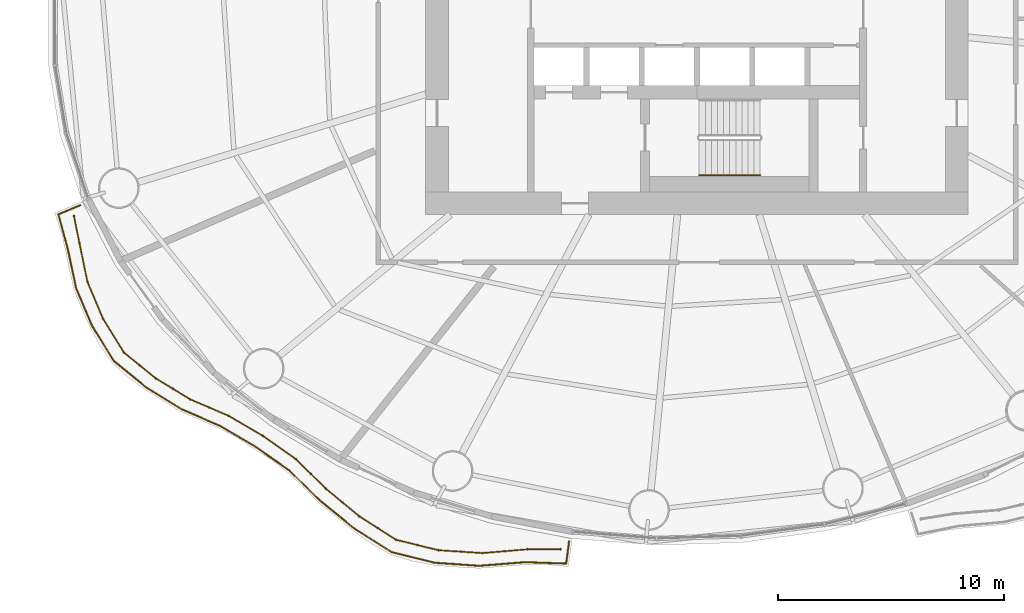
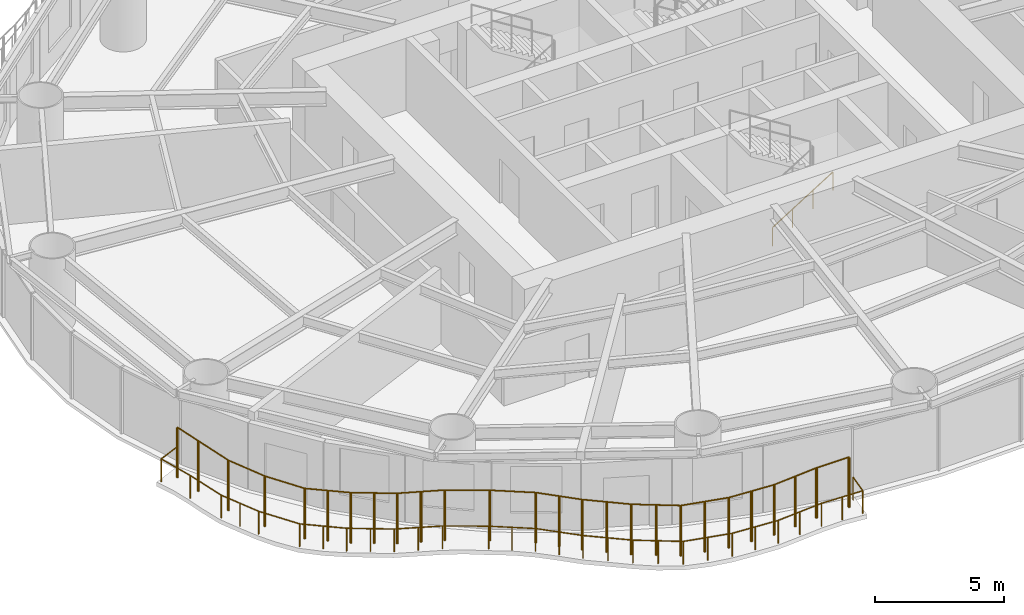
# One storey, part 12 of 17: 3 railings.
"""IFC4 building model written with IfcOpenShell, lengths in metres."""

from ifc_helpers import new_model, si_unit, direction, frame, origin, origin_2d, place, context, subcontext, project, spatial, circle, extrude, material, type_object, element, save


model = new_model("IFC4")

# Units and contexts
model_context = context("Model", 3, precision=1e-05, world=origin(), true_north=direction((0.0, 1.0)))
body_context = subcontext(model_context, "Body", "Model", "MODEL_VIEW")
ifc_project = project(units=[si_unit("LENGTHUNIT", "METRE"), si_unit("AREAUNIT", "SQUARE_METRE"), si_unit("VOLUMEUNIT", "CUBIC_METRE"), si_unit("PLANEANGLEUNIT", "RADIAN"), si_unit("MASSUNIT", "GRAM", prefix="KILO")], contexts=[model_context])

# Site, building, storey
site_placement = place(None, origin())
site = spatial("IfcSite", under=ifc_project, at=site_placement, CompositionType="ELEMENT")
building_placement = place(site_placement, origin())
building = spatial("IfcBuilding", under=site, at=building_placement, Name="Vermilion Reach Broadcast Tower", CompositionType="ELEMENT")
storey_placement = place(building_placement, frame((0.0, 0.0, 54.5)))
storey = spatial("IfcBuildingStorey", under=building, at=storey_placement, Name="L10", CompositionType="ELEMENT", Elevation=54.5)

# Railings
ifc_material_1 = material(Name="Terracotta baguette", Category="masonry")
railing_type_1 = type_object("IfcRailingType", Name="BAGUETTE SCREEN", PredefinedType="USERDEFINED", material=ifc_material_1)
railing_1_placement = place(storey_placement, frame((-33.5625, -9.0517578125, 0.0)))
element("IfcRailing", 1, at=railing_1_placement, inside=storey, type_object=railing_type_1, Name="Baguette screen L10 group 3", ObjectType="BAGUETTE SCREEN", PredefinedType="USERDEFINED", context=body_context, shape_type="SweptSolid", body=[
    extrude(circle(Radius=0.030029296875, at=origin_2d()), frame((0.0, 0.0, 2.369873046875), z_axis=(0.199409662578, -0.979916214005, 0.0), x_axis=(0.979916214005, 0.199409662578, 0.0)), (0.0, 0.0, 1.0), 1.2255859375),
    extrude(circle(Radius=0.030029296875, at=origin_2d()), frame((0.244384765625, -1.200927734375, 2.369873046875), z_axis=(0.201684360782, -0.979450569766, 0.0), x_axis=(0.979450569766, 0.201684360782, 0.0)), (0.0, 0.0, 1.0), 1.7529296875),
    extrude(circle(Radius=0.030029296875, at=origin_2d()), frame((0.597900390625, -2.917724609375, 2.369873046875), z_axis=(0.389125849126, -0.921184603401, 0.0), x_axis=(0.921184603401, 0.389125849126, 0.0)), (0.0, 0.0, 1.0), 1.76611328125),
    extrude(circle(Radius=0.030029296875, at=origin_2d()), frame((1.28515625, -4.544677734375, 2.369873046875), z_axis=(0.525498792374, -0.850794346016, 0.0), x_axis=(0.850794346016, 0.525498792374, 0.0)), (0.0, 0.0, 1.0), 1.758544921875),
    extrude(circle(Radius=0.030029296875, at=origin_2d()), frame((2.209228515625, -6.040771484375, 2.369873046875), z_axis=(0.776167720678, -0.630526501724, 0.0), x_axis=(0.630526501724, 0.776167720678, 0.0)), (0.0, 0.0, 1.0), 1.80712890625),
    extrude(circle(Radius=0.030029296875, at=origin_2d()), frame((3.61181640625, -7.18017578125, 2.369873046875), z_axis=(0.853760885392, -0.520665296111, 0.0), x_axis=(0.520665296111, 0.853760885392, 0.0)), (0.0, 0.0, 1.0), 1.800048828125),
    extrude(circle(Radius=0.030029296875, at=origin_2d()), frame((5.148681640625, -8.117431640625, 2.369873046875), z_axis=(0.919206490809, -0.393775859157, 0.0), x_axis=(0.393775859157, 0.919206490809, 0.0)), (0.0, 0.0, 1.0), 1.848876953125),
    extrude(circle(Radius=0.030029296875, at=origin_2d()), frame((6.84814453125, -8.845458984375, 2.369873046875), z_axis=(0.862471351841, -0.506105885416, 0.0), x_axis=(0.506105885416, 0.862471351841, 0.0)), (0.0, 0.0, 1.0), 1.7509765625),
    extrude(circle(Radius=0.030029296875, at=origin_2d()), frame((8.3583984375, -9.731689453125, 2.369873046875), z_axis=(0.818240420183, -0.574876173431, 0.0), x_axis=(0.574876173431, 0.818240420183, 0.0)), (0.0, 0.0, 1.0), 1.78369140625),
    extrude(circle(Radius=0.030029296875, at=origin_2d()), frame((9.81787109375, -10.757080078125, 2.369873046875), z_axis=(0.711542374785, -0.702643187461, 0.0), x_axis=(0.702643187461, 0.711542374785, 0.0)), (0.0, 0.0, 1.0), 1.865478515625),
    extrude(circle(Radius=0.030029296875, at=origin_2d()), frame((11.145263671875, -12.06787109375, 2.369873046875), z_axis=(0.77147600932, -0.636258412159, 0.0), x_axis=(0.636258412159, 0.77147600932, 0.0)), (0.0, 0.0, 1.0), 1.9248046875),
    extrude(circle(Radius=0.030029296875, at=origin_2d()), frame((12.630126953125, -13.29248046875, 2.369873046875), z_axis=(0.842271400662, -0.539053696423, 0.0), x_axis=(0.539053696423, 0.842271400662, 0.0)), (0.0, 0.0, 1.0), 1.92041015625),
    extrude(circle(Radius=0.030029296875, at=origin_2d()), frame((14.24755859375, -14.32763671875, 2.369873046875), z_axis=(0.971025223768, -0.238977017318, 0.0), x_axis=(0.238977017318, 0.971025223768, 0.0)), (0.0, 0.0, 1.0), 1.93798828125),
    extrude(circle(Radius=0.030029296875, at=origin_2d()), frame((16.12939453125, -14.790771484375, 2.369873046875), z_axis=(0.99792453146, -0.064394328242, 0.0), x_axis=(0.064394328242, 0.99792453146, 0.0)), (0.0, 0.0, 1.0), 1.95263671875),
    extrude(circle(Radius=0.030029296875, at=origin_2d()), frame((18.077880859375, -14.91650390625, 2.369873046875), z_axis=(0.996501015749, 0.083580653335, 0.0), x_axis=(-0.083580653335, 0.996501015749, 0.0)), (0.0, 0.0, 1.0), 2.0009765625),
    extrude(circle(Radius=0.030029296875, at=origin_2d()), frame((20.07177734375, -14.749267578125, 2.369873046875), z_axis=(0.999994933935, 0.003183096623, 0.0), x_axis=(-0.003183096623, 0.999994933935, 0.0)), (0.0, 0.0, 1.0), 1.457275390625),
    extrude(circle(Radius=0.050048828125, at=origin_2d()), origin(), (0.0, 0.0, 1.0), 2.33984375),
    extrude(circle(Radius=0.050048828125, at=origin_2d()), frame((0.244384765625, -1.200927734375, 0.0)), (0.0, 0.0, 1.0), 2.33984375),
    extrude(circle(Radius=0.050048828125, at=origin_2d()), frame((0.597900390625, -2.917724609375, 0.0)), (0.0, 0.0, 1.0), 2.33984375),
    extrude(circle(Radius=0.050048828125, at=origin_2d()), frame((1.28515625, -4.544677734375, 0.0)), (0.0, 0.0, 1.0), 2.33984375),
    extrude(circle(Radius=0.050048828125, at=origin_2d()), frame((2.209228515625, -6.040771484375, 0.0)), (0.0, 0.0, 1.0), 2.33984375),
    extrude(circle(Radius=0.050048828125, at=origin_2d()), frame((2.91064453125, -6.6103515625, 0.0)), (0.0, 0.0, 1.0), 2.33984375),
    extrude(circle(Radius=0.050048828125, at=origin_2d()), frame((3.61181640625, -7.18017578125, 0.0)), (0.0, 0.0, 1.0), 2.33984375),
    extrude(circle(Radius=0.050048828125, at=origin_2d()), frame((4.38037109375, -7.64892578125, 0.0)), (0.0, 0.0, 1.0), 2.33984375),
    extrude(circle(Radius=0.050048828125, at=origin_2d()), frame((5.148681640625, -8.117431640625, 0.0)), (0.0, 0.0, 1.0), 2.33984375),
    extrude(circle(Radius=0.050048828125, at=origin_2d()), frame((5.99853515625, -8.4814453125, 0.0)), (0.0, 0.0, 1.0), 2.33984375),
    extrude(circle(Radius=0.050048828125, at=origin_2d()), frame((6.84814453125, -8.845458984375, 0.0)), (0.0, 0.0, 1.0), 2.33984375),
    extrude(circle(Radius=0.050048828125, at=origin_2d()), frame((8.3583984375, -9.731689453125, 0.0)), (0.0, 0.0, 1.0), 2.33984375),
    extrude(circle(Radius=0.050048828125, at=origin_2d()), frame((9.81787109375, -10.757080078125, 0.0)), (0.0, 0.0, 1.0), 2.33984375),
    extrude(circle(Radius=0.050048828125, at=origin_2d()), frame((10.4814453125, -11.41259765625, 0.0)), (0.0, 0.0, 1.0), 2.33984375),
    extrude(circle(Radius=0.050048828125, at=origin_2d()), frame((11.145263671875, -12.06787109375, 0.0)), (0.0, 0.0, 1.0), 2.33984375),
    extrude(circle(Radius=0.050048828125, at=origin_2d()), frame((11.8876953125, -12.68017578125, 0.0)), (0.0, 0.0, 1.0), 2.33984375),
    extrude(circle(Radius=0.050048828125, at=origin_2d()), frame((12.630126953125, -13.29248046875, 0.0)), (0.0, 0.0, 1.0), 2.33984375),
    extrude(circle(Radius=0.050048828125, at=origin_2d()), frame((13.43896484375, -13.81005859375, 0.0)), (0.0, 0.0, 1.0), 2.33984375),
    extrude(circle(Radius=0.050048828125, at=origin_2d()), frame((14.24755859375, -14.32763671875, 0.0)), (0.0, 0.0, 1.0), 2.33984375),
    extrude(circle(Radius=0.050048828125, at=origin_2d()), frame((15.1884765625, -14.55908203125, 0.0)), (0.0, 0.0, 1.0), 2.33984375),
    extrude(circle(Radius=0.050048828125, at=origin_2d()), frame((16.12939453125, -14.790771484375, 0.0)), (0.0, 0.0, 1.0), 2.33984375),
    extrude(circle(Radius=0.050048828125, at=origin_2d()), frame((17.103515625, -14.853515625, 0.0)), (0.0, 0.0, 1.0), 2.33984375),
    extrude(circle(Radius=0.050048828125, at=origin_2d()), frame((18.077880859375, -14.91650390625, 0.0)), (0.0, 0.0, 1.0), 2.33984375),
    extrude(circle(Radius=0.050048828125, at=origin_2d()), frame((19.07470703125, -14.8330078125, 0.0)), (0.0, 0.0, 1.0), 2.33984375),
    extrude(circle(Radius=0.050048828125, at=origin_2d()), frame((20.07177734375, -14.749267578125, 0.0)), (0.0, 0.0, 1.0), 2.33984375),
    extrude(circle(Radius=0.050048828125, at=origin_2d()), frame((21.529052734375, -14.74462890625, 0.0)), (0.0, 0.0, 1.0), 2.33984375),
])
ifc_material_2 = material(Name="Stainless steel 316 balustrade", Category="steel")
railing_type_2 = type_object("IfcRailingType", Name="Balcony guard 1100", PredefinedType="BALUSTRADE", material=ifc_material_2)
railing_2_placement = place(storey_placement, frame((-33.279541015625, -8.5751953125, 0.0)))
element("IfcRailing", 2, at=railing_2_placement, inside=storey, type_object=railing_type_2, Name="Balcony guard L10 group 3", PredefinedType="BALUSTRADE", context=body_context, shape_type="SweptSolid", body=[
    extrude(circle(Radius=0.02490234375, at=origin_2d()), frame((0.0, 0.0, 1.0751953125), z_axis=(-0.921364160958, -0.388700505404, 0.0), x_axis=(0.388700505404, -0.921364160958, 0.0)), (0.0, 0.0, 1.0), 1.051513671875),
    extrude(circle(Radius=0.02490234375, at=origin_2d()), frame((-0.96875, -0.40869140625, 1.0751953125), z_axis=(0.260920629351, -0.965360256681, 0.0), x_axis=(0.965360256681, 0.260920629351, 0.0)), (0.0, 0.0, 1.0), 1.58984375),
    extrude(circle(Radius=0.02490234375, at=origin_2d()), frame((-0.553955078125, -1.943359375, 1.0751953125), z_axis=(0.208869261748, -0.977943572757, 0.0), x_axis=(0.977943572757, 0.208869261748, 0.0)), (0.0, 0.0, 1.0), 1.794189453125),
    extrude(circle(Radius=0.02490234375, at=origin_2d()), frame((-0.17919921875, -3.697998046875, 1.0751953125), z_axis=(0.393234914024, -0.91943803619, 0.0), x_axis=(0.91943803619, 0.393234914024, 0.0)), (0.0, 0.0, 1.0), 1.80859375),
    extrude(circle(Radius=0.02490234375, at=origin_2d()), frame((0.531982421875, -5.36083984375, 1.0751953125), z_axis=(0.527643152071, -0.849466128855, 0.0), x_axis=(0.849466128855, 0.527643152071, 0.0)), (0.0, 0.0, 1.0), 1.799560546875),
    extrude(circle(Radius=0.02490234375, at=origin_2d()), frame((1.4814453125, -6.889404296875, 1.0751953125), z_axis=(0.773951412693, -0.633244984813, 0.0), x_axis=(0.633244984813, 0.773951412693, 0.0)), (0.0, 0.0, 1.0), 1.847900390625),
    extrude(circle(Radius=0.02490234375, at=origin_2d()), frame((2.91162109375, -8.0595703125, 1.0751953125), z_axis=(0.851279629084, -0.524712295555, 0.0), x_axis=(0.524712295555, 0.851279629084, 0.0)), (0.0, 0.0, 1.0), 1.83837890625),
    extrude(circle(Radius=0.02490234375, at=origin_2d()), frame((4.4765625, -9.024169921875, 1.0751953125), z_axis=(0.916785889467, -0.399379059133, 0.0), x_axis=(0.399379059133, 0.916785889467, 0.0)), (0.0, 0.0, 1.0), 1.886474609375),
    extrude(circle(Radius=0.02490234375, at=origin_2d()), frame((6.2060546875, -9.777587890625, 1.0751953125), z_axis=(0.861407261025, -0.507914885245, 0.0), x_axis=(0.507914885245, 0.861407261025, 0.0)), (0.0, 0.0, 1.0), 1.7880859375),
    extrude(circle(Radius=0.02490234375, at=origin_2d()), frame((7.746337890625, -10.685791015625, 1.0751953125), z_axis=(0.818740264413, -0.57416407013, 0.0), x_axis=(0.57416407013, 0.818740264413, 0.0)), (0.0, 0.0, 1.0), 1.82080078125),
    extrude(circle(Radius=0.02490234375, at=origin_2d()), frame((9.237060546875, -11.731201171875, 1.0751953125), z_axis=(0.714902451304, -0.699224202327, 0.0), x_axis=(0.699224202327, 0.714902451304, 0.0)), (0.0, 0.0, 1.0), 1.899658203125),
    extrude(circle(Radius=0.02490234375, at=origin_2d()), frame((10.59521484375, -13.0595703125, 1.0751953125), z_axis=(0.774334696915, -0.632776245725, 0.0), x_axis=(0.632776245725, 0.774334696915, 0.0)), (0.0, 0.0, 1.0), 1.959228515625),
    extrude(circle(Radius=0.02490234375, at=origin_2d()), frame((12.1123046875, -14.29931640625, 1.0751953125), z_axis=(0.843964971721, -0.536398290926, 0.0), x_axis=(0.536398290926, 0.843964971721, 0.0)), (0.0, 0.0, 1.0), 1.95361328125),
    extrude(circle(Radius=0.02490234375, at=origin_2d()), frame((13.760986328125, -15.34716796875, 1.0751953125), z_axis=(0.970664601376, -0.240437583657, 0.0), x_axis=(0.240437583657, 0.970664601376, 0.0)), (0.0, 0.0, 1.0), 1.971923828125),
    extrude(circle(Radius=0.02490234375, at=origin_2d()), frame((15.675048828125, -15.8212890625, 1.0751953125), z_axis=(0.997699417081, -0.067792869504, 0.0), x_axis=(0.067792869504, 0.997699417081, 0.0)), (0.0, 0.0, 1.0), 1.984375),
    extrude(circle(Radius=0.02490234375, at=origin_2d()), frame((17.65478515625, -15.955810546875, 1.0751953125), z_axis=(0.996889709422, 0.078809309398, 0.0), x_axis=(-0.078809309398, 0.996889709422, 0.0)), (0.0, 0.0, 1.0), 2.0322265625),
    extrude(circle(Radius=0.02490234375, at=origin_2d()), frame((19.6806640625, -15.795654296875, 1.0751953125), z_axis=(0.999415550915, -0.034184157007, 0.0), x_axis=(0.034184157007, 0.999415550915, 0.0)), (0.0, 0.0, 1.0), 1.81396484375),
    extrude(circle(Radius=0.02490234375, at=origin_2d()), frame((21.49365234375, -15.857666015625, 1.0751953125), z_axis=(0.132309511291, 0.991208450944, 0.0), x_axis=(-0.991208450944, 0.132309511291, 0.0)), (0.0, 0.0, 1.0), 0.9873046875),
    extrude(circle(Radius=0.02490234375, at=origin_2d()), origin(), (0.0, 0.0, 1.0), 1.050048828125),
    extrude(circle(Radius=0.02490234375, at=origin_2d()), frame((-0.96875, -0.40869140625, 0.0)), (0.0, 0.0, 1.0), 1.050048828125),
    extrude(circle(Radius=0.02490234375, at=origin_2d()), frame((-0.553955078125, -1.943359375, 0.0)), (0.0, 0.0, 1.0), 1.050048828125),
    extrude(circle(Radius=0.02490234375, at=origin_2d()), frame((-0.17919921875, -3.697998046875, 0.0)), (0.0, 0.0, 1.0), 1.050048828125),
    extrude(circle(Radius=0.02490234375, at=origin_2d()), frame((0.17626953125, -4.529296875, 0.0)), (0.0, 0.0, 1.0), 1.050048828125),
    extrude(circle(Radius=0.02490234375, at=origin_2d()), frame((0.531982421875, -5.36083984375, 0.0)), (0.0, 0.0, 1.0), 1.050048828125),
    extrude(circle(Radius=0.02490234375, at=origin_2d()), frame((1.4814453125, -6.889404296875, 0.0)), (0.0, 0.0, 1.0), 1.050048828125),
    extrude(circle(Radius=0.02490234375, at=origin_2d()), frame((2.196533203125, -7.474609375, 0.0)), (0.0, 0.0, 1.0), 1.050048828125),
    extrude(circle(Radius=0.02490234375, at=origin_2d()), frame((2.91162109375, -8.0595703125, 0.0)), (0.0, 0.0, 1.0), 1.050048828125),
    extrude(circle(Radius=0.02490234375, at=origin_2d()), frame((3.694091796875, -8.5419921875, 0.0)), (0.0, 0.0, 1.0), 1.050048828125),
    extrude(circle(Radius=0.02490234375, at=origin_2d()), frame((4.4765625, -9.024169921875, 0.0)), (0.0, 0.0, 1.0), 1.050048828125),
    extrude(circle(Radius=0.02490234375, at=origin_2d()), frame((5.34130859375, -9.40087890625, 0.0)), (0.0, 0.0, 1.0), 1.050048828125),
    extrude(circle(Radius=0.02490234375, at=origin_2d()), frame((6.2060546875, -9.777587890625, 0.0)), (0.0, 0.0, 1.0), 1.050048828125),
    extrude(circle(Radius=0.02490234375, at=origin_2d()), frame((7.746337890625, -10.685791015625, 0.0)), (0.0, 0.0, 1.0), 1.050048828125),
    extrude(circle(Radius=0.02490234375, at=origin_2d()), frame((8.49169921875, -11.20849609375, 0.0)), (0.0, 0.0, 1.0), 1.050048828125),
    extrude(circle(Radius=0.02490234375, at=origin_2d()), frame((9.237060546875, -11.731201171875, 0.0)), (0.0, 0.0, 1.0), 1.050048828125),
    extrude(circle(Radius=0.02490234375, at=origin_2d()), frame((9.916015625, -12.3955078125, 0.0)), (0.0, 0.0, 1.0), 1.050048828125),
    extrude(circle(Radius=0.02490234375, at=origin_2d()), frame((10.59521484375, -13.0595703125, 0.0)), (0.0, 0.0, 1.0), 1.050048828125),
    extrude(circle(Radius=0.02490234375, at=origin_2d()), frame((11.353759765625, -13.679443359375, 0.0)), (0.0, 0.0, 1.0), 1.050048828125),
    extrude(circle(Radius=0.02490234375, at=origin_2d()), frame((12.1123046875, -14.29931640625, 0.0)), (0.0, 0.0, 1.0), 1.050048828125),
    extrude(circle(Radius=0.02490234375, at=origin_2d()), frame((12.9365234375, -14.8232421875, 0.0)), (0.0, 0.0, 1.0), 1.050048828125),
    extrude(circle(Radius=0.02490234375, at=origin_2d()), frame((13.760986328125, -15.34716796875, 0.0)), (0.0, 0.0, 1.0), 1.050048828125),
    extrude(circle(Radius=0.02490234375, at=origin_2d()), frame((14.718017578125, -15.584228515625, 0.0)), (0.0, 0.0, 1.0), 1.050048828125),
    extrude(circle(Radius=0.02490234375, at=origin_2d()), frame((15.675048828125, -15.8212890625, 0.0)), (0.0, 0.0, 1.0), 1.050048828125),
    extrude(circle(Radius=0.02490234375, at=origin_2d()), frame((16.6650390625, -15.888671875, 0.0)), (0.0, 0.0, 1.0), 1.050048828125),
    extrude(circle(Radius=0.02490234375, at=origin_2d()), frame((17.65478515625, -15.955810546875, 0.0)), (0.0, 0.0, 1.0), 1.050048828125),
    extrude(circle(Radius=0.02490234375, at=origin_2d()), frame((18.667724609375, -15.875732421875, 0.0)), (0.0, 0.0, 1.0), 1.050048828125),
    extrude(circle(Radius=0.02490234375, at=origin_2d()), frame((19.6806640625, -15.795654296875, 0.0)), (0.0, 0.0, 1.0), 1.050048828125),
    extrude(circle(Radius=0.02490234375, at=origin_2d()), frame((20.587158203125, -15.82666015625, 0.0)), (0.0, 0.0, 1.0), 1.050048828125),
    extrude(circle(Radius=0.02490234375, at=origin_2d()), frame((21.49365234375, -15.857666015625, 0.0)), (0.0, 0.0, 1.0), 1.050048828125),
    extrude(circle(Radius=0.02490234375, at=origin_2d()), frame((21.624267578125, -14.879150390625, 0.0)), (0.0, 0.0, 1.0), 1.050048828125),
])
ifc_material_3 = material(Name="Stainless steel", Category="steel")
railing_type_3 = type_object("IfcRailingType", Name="Stair handrail", PredefinedType="HANDRAIL", material=ifc_material_3)
railing_3_placement = place(storey_placement, frame((-5.89990234375, -7.25, 0.168212890625)))
element("IfcRailing", 3, at=railing_3_placement, inside=storey, type_object=railing_type_3, Name="L10 ST3 stair handrail 1", PredefinedType="HANDRAIL", context=body_context, shape_type="SweptSolid", body=[
    extrude(circle(Radius=0.02392578125, at=origin_2d()), frame((0.0, 0.0, 0.8759765625), z_axis=(0.848786430784, 0.0, 0.528735846068), x_axis=(0.0, 1.0, 0.0)), (0.0, 0.0, 1.0), 3.180908203125),
    extrude(circle(Radius=0.02099609375, at=origin_2d()), origin(), (0.0, 0.0, 1.0), 0.851806640625),
    extrude(circle(Radius=0.02099609375, at=origin_2d()), frame((0.89990234375, 0.0, 0.560546875)), (0.0, 0.0, 1.0), 0.851806640625),
    extrude(circle(Radius=0.02099609375, at=origin_2d()), frame((1.800048828125, 0.0, 1.121337890625)), (0.0, 0.0, 1.0), 0.851806640625),
    extrude(circle(Radius=0.02099609375, at=origin_2d()), frame((2.699951171875, 0.0, 1.681884765625)), (0.0, 0.0, 1.0), 0.851806640625),
])

save(model, "model.ifc")
